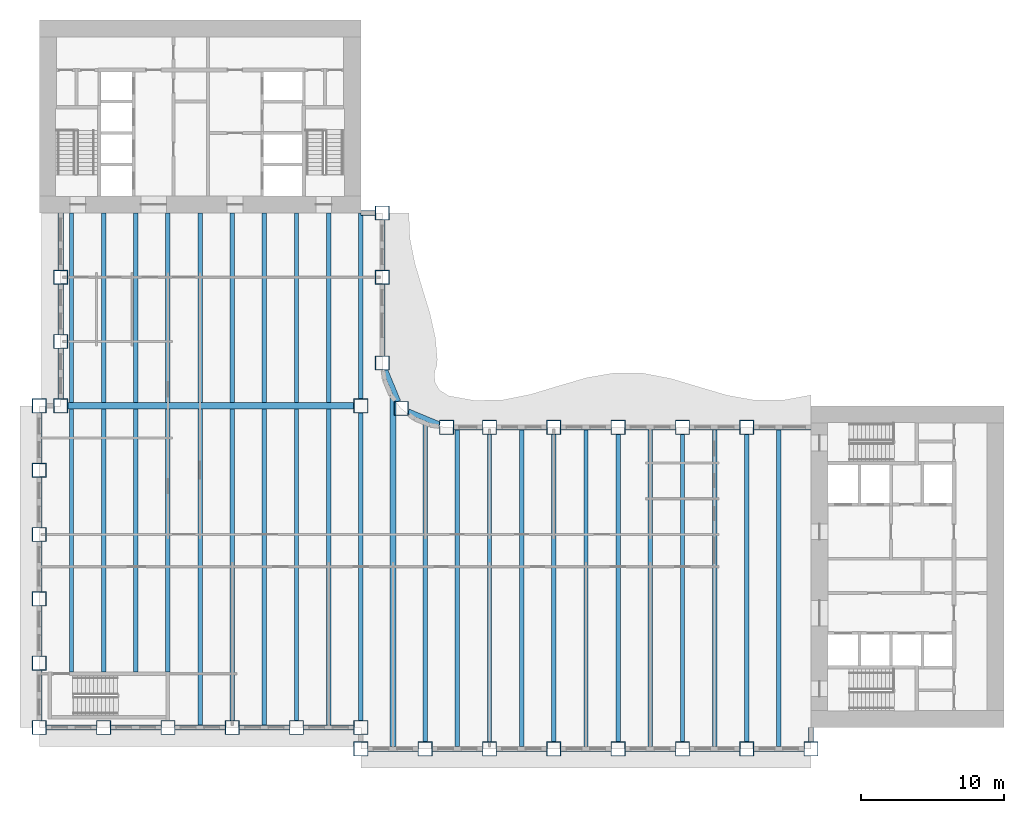
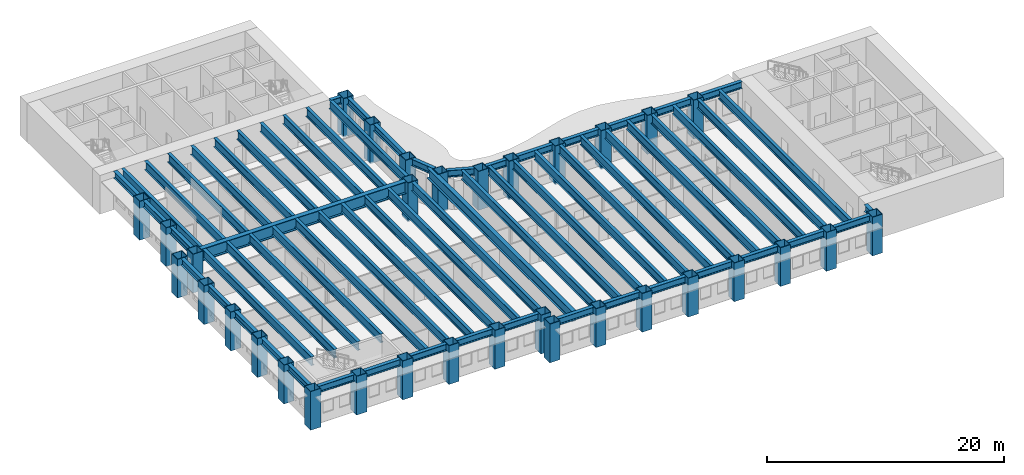
# One storey, part 1 of 16: 66 beams, 33 columns.
"""IFC4 building model written with IfcOpenShell, lengths in metres."""

from ifc_helpers import new_model, si_unit, direction, frame, origin, origin_2d, place, context, subcontext, project, spatial, hollow_rectangle, i_section, extrude, material, material_profile, profile_set, type_object, element, save


model = new_model("IFC4")

# Units and contexts
model_context = context("Model", 3, precision=1e-05, world=origin(), true_north=direction((0.0, 1.0)))
body_context = subcontext(model_context, "Body", "Model", "MODEL_VIEW")
ifc_project = project(units=[si_unit("LENGTHUNIT", "METRE"), si_unit("AREAUNIT", "SQUARE_METRE"), si_unit("VOLUMEUNIT", "CUBIC_METRE"), si_unit("PLANEANGLEUNIT", "RADIAN"), si_unit("MASSUNIT", "GRAM", prefix="KILO")], contexts=[model_context])

# Site, building, storey
site_placement = place(None, origin())
site = spatial("IfcSite", under=ifc_project, at=site_placement, CompositionType="ELEMENT")
building_placement = place(site_placement, origin())
building = spatial("IfcBuilding", under=site, at=building_placement, Name="Sennacour Bend Tower", CompositionType="ELEMENT")
storey_placement = place(building_placement, frame((0.0, 0.0, 123.0)))
storey = spatial("IfcBuildingStorey", under=building, at=storey_placement, Name="L28", CompositionType="ELEMENT", Elevation=123.0)

# Columns
ifc_material_1 = material(Name="Steel ASTM A572 Grade 50", Category="steel")
ifc_material_profile_1 = material_profile(ifc_material_1, hollow_rectangle(XDim=1.0, YDim=1.0, WallThickness=0.050048828125, at=origin_2d()), Name="Steel ASTM A572 Grade 50", Category="steel")
ifc_profile_set_1 = profile_set([ifc_material_profile_1], Name="Steel ASTM A572 Grade 50")
column_type = type_object("IfcColumnType", Name="Box column 1000", PredefinedType="COLUMN", material=ifc_profile_set_1)
for number, where, z_axis, x_axis, name in (
    (1, (0.0, 0.0, -0.14990234375), (0.0, 0.0, 1.0), (1.0, 0.0, 0.0), "Perimeter column C2 L28-001"),
    (2, (0.0, 4.5, -0.14990234375), (0.0, 0.0, 1.0), (1.0, 0.0, 0.0), "Perimeter column C2 L28-002"),
    (3, (0.0, 9.0, -0.14990234375), (0.0, 0.0, 1.0), (1.0, 0.0, 0.0), "Perimeter column C2 L28-003"),
    (4, (0.0, 13.5, -0.14990234375), (0.0, 0.0, 1.0), (1.0, 0.0, 0.0), "Perimeter column C2 L28-004"),
    (5, (0.0, 18.0, -0.14990234375), (0.0, 0.0, 1.0), (1.0, 0.0, 0.0), "Perimeter column C2 L28-005"),
    (6, (0.0, 22.5, -0.14990234375), (0.0, 0.0, 1.0), (1.0, 0.0, 0.0), "Perimeter column C2 L28-006"),
    (7, (1.5, 22.5, -0.14990234375), (0.0, 0.0, 1.0), (1.0, 0.0, 0.0), "Perimeter column C2 L28-007"),
    (8, (1.5, 27.0, -0.14990234375), (0.0, 0.0, 1.0), (1.0, 0.0, 0.0), "Perimeter column C2 L28-008"),
    (9, (1.5, 31.5, -0.14990234375), (0.0, 0.0, 1.0), (1.0, 0.0, 0.0), "Perimeter column C2 L28-009"),
    (10, (4.5, 0.0, -0.14990234375), (0.0, 0.0, 1.0), (1.0, 0.0, 0.0), "Perimeter column C2 L28-010"),
    (11, (9.0, 0.0, -0.14990234375), (0.0, 0.0, 1.0), (1.0, 0.0, 0.0), "Perimeter column C2 L28-011"),
    (12, (13.5, 0.0, -0.14990234375), (0.0, 0.0, 1.0), (1.0, 0.0, 0.0), "Perimeter column C2 L28-012"),
    (13, (18.0, 0.0, -0.14990234375), (0.0, 0.0, 1.0), (1.0, 0.0, 0.0), "Perimeter column C2 L28-013"),
    (14, (22.5, -1.5, -0.14990234375), (0.0, 0.0, 1.0), (1.0, 0.0, 0.0), "Perimeter column C2 L28-014"),
    (15, (22.5, 0.0, -0.14990234375), (0.0, 0.0, 1.0), (1.0, 0.0, 0.0), "Perimeter column C2 L28-015"),
    (16, (22.5, 22.5, -0.14990234375), (0.0, 0.0, 1.0), (1.0, 0.0, 0.0), "Knuckle column C2 L28-016"),
    (17, (24.0, 25.5, -0.14990234375), (0.0, 0.0, 1.0), (1.0, 0.0, 0.0), "Perimeter column C2 L28-017"),
    (18, (24.0, 31.5, -0.14990234375), (0.0, 0.0, 1.0), (1.0, 0.0, 0.0), "Perimeter column C2 L28-018"),
    (19, (24.0, 36.0, -0.14990234375), (0.0, 0.0, 1.0), (1.0, 0.0, 0.0), "Perimeter column C2 L28-019"),
    (20, (25.318115234375, 22.318115234375, -0.14990234375), (0.0, 0.0, 1.0), (1.0, 0.0, 0.0), "Perimeter column C2 L28-020"),
    (21, (27.0, -1.5, -0.14990234375), (0.0, 0.0, 1.0), (1.0, 0.0, 0.0), "Perimeter column C2 L28-021"),
    (22, (28.5, 21.0, -0.14990234375), (0.0, 0.0, 1.0), (1.0, 0.0, 0.0), "Perimeter column C2 L28-022"),
    (23, (31.5, -1.5, -0.14990234375), (0.0, 0.0, 1.0), (1.0, 0.0, 0.0), "Perimeter column C2 L28-023"),
    (24, (31.5, 21.0, -0.14990234375), (0.0, 0.0, 1.0), (1.0, 0.0, 0.0), "Perimeter column C2 L28-024"),
    (25, (36.0, -1.5, -0.14990234375), (0.0, 0.0, 1.0), (1.0, 0.0, 0.0), "Perimeter column C2 L28-025"),
    (26, (36.0, 21.0, -0.14990234375), (0.0, 0.0, 1.0), (1.0, 0.0, 0.0), "Perimeter column C2 L28-026"),
    (27, (40.5, -1.5, -0.14990234375), (0.0, 0.0, 1.0), (1.0, 0.0, 0.0), "Perimeter column C2 L28-027"),
    (28, (40.5, 21.0, -0.14990234375), (0.0, 0.0, 1.0), (1.0, 0.0, 0.0), "Perimeter column C2 L28-028"),
    (29, (45.0, -1.5, -0.14990234375), (0.0, 0.0, 1.0), (1.0, 0.0, 0.0), "Perimeter column C2 L28-029"),
    (30, (45.0, 21.0, -0.14990234375), (0.0, 0.0, 1.0), (1.0, 0.0, 0.0), "Perimeter column C2 L28-030"),
    (31, (49.5, -1.5, -0.14990234375), (0.0, 0.0, 1.0), (1.0, 0.0, 0.0), "Perimeter column C2 L28-031"),
    (32, (49.5, 21.0, -0.14990234375), (0.0, 0.0, 1.0), (1.0, 0.0, 0.0), "Perimeter column C2 L28-032"),
    (33, (54.0, -1.5, -0.14990234375), (0.0, 0.0, 1.0), (1.0, 0.0, 0.0), "Perimeter column C2 L28-033"),
):
    element("IfcColumn", number, at=place(storey_placement, frame(where, z_axis=z_axis, x_axis=x_axis)), inside=storey, type_object=column_type, Name=name, PredefinedType="COLUMN", context=body_context, shape_type="SweptSolid", body=[
        extrude(hollow_rectangle(XDim=1.0, YDim=1.0, WallThickness=0.050048828125, at=origin_2d()), origin(), (0.0, 0.0, 1.0), 4.0),
    ])

# Beams
ifc_material_2 = material(Name="Steel ASTM A992 Grade 50", Category="steel")
ifc_material_profile_2 = material_profile(ifc_material_2, i_section(OverallWidth=0.304931640625, OverallDepth=0.912109375, WebThickness=0.015869140625, FlangeThickness=0.02392578125, FilletRadius=0.01904296875, at=origin_2d()), Name="Steel ASTM A992 Grade 50", Category="steel")
ifc_profile_set_2 = profile_set([ifc_material_profile_2], Name="Steel ASTM A992 Grade 50")
beam_type_1 = type_object("IfcBeamType", Name="Floor beam W920X223", PredefinedType="BEAM", material=ifc_profile_set_2)
beam_1_placement = place(storey_placement, frame((2.25, 3.875, 3.39404296875), z_axis=(0.0, 1.0, 0.0), x_axis=(-1.0, 0.0, 0.0)))
element("IfcBeam", 34, at=beam_1_placement, inside=storey, type_object=beam_type_1, Name="Floor beam FBM1 L29-001", PredefinedType="BEAM", context=body_context, shape_type="SweptSolid", body=[
    extrude(i_section(OverallWidth=0.304931640625, OverallDepth=0.912109375, WebThickness=0.015869140625, FlangeThickness=0.02392578125, FilletRadius=0.01904296875, at=origin_2d()), origin(), (0.0, 0.0, 1.0), 18.39990234375),
])
beam_2_placement = place(storey_placement, frame((2.25, 22.72509765625, 3.39404296875), z_axis=(0.0, 1.0, 0.0), x_axis=(-1.0, 0.0, 0.0)))
element("IfcBeam", 35, at=beam_2_placement, inside=storey, type_object=beam_type_1, Name="Floor beam FBM1 L29-002", PredefinedType="BEAM", context=body_context, shape_type="SweptSolid", body=[
    extrude(i_section(OverallWidth=0.304931640625, OverallDepth=0.912109375, WebThickness=0.015869140625, FlangeThickness=0.02392578125, FilletRadius=0.01904296875, at=origin_2d()), origin(), (0.0, 0.0, 1.0), 13.27490234375),
])
beam_3_placement = place(storey_placement, frame((4.5, 3.875, 3.39404296875), z_axis=(0.0, 1.0, 0.0), x_axis=(-1.0, 0.0, 0.0)))
element("IfcBeam", 36, at=beam_3_placement, inside=storey, type_object=beam_type_1, Name="Floor beam FBM1 L29-003", PredefinedType="BEAM", context=body_context, shape_type="SweptSolid", body=[
    extrude(i_section(OverallWidth=0.304931640625, OverallDepth=0.912109375, WebThickness=0.015869140625, FlangeThickness=0.02392578125, FilletRadius=0.01904296875, at=origin_2d()), origin(), (0.0, 0.0, 1.0), 18.39990234375),
])
beam_4_placement = place(storey_placement, frame((4.5, 22.72509765625, 3.39404296875), z_axis=(0.0, 1.0, 0.0), x_axis=(-1.0, 0.0, 0.0)))
element("IfcBeam", 37, at=beam_4_placement, inside=storey, type_object=beam_type_1, Name="Floor beam FBM1 L29-004", PredefinedType="BEAM", context=body_context, shape_type="SweptSolid", body=[
    extrude(i_section(OverallWidth=0.304931640625, OverallDepth=0.912109375, WebThickness=0.015869140625, FlangeThickness=0.02392578125, FilletRadius=0.01904296875, at=origin_2d()), origin(), (0.0, 0.0, 1.0), 13.27490234375),
])
beam_5_placement = place(storey_placement, frame((6.75, 3.875, 3.39404296875), z_axis=(0.0, 1.0, 0.0), x_axis=(-1.0, 0.0, 0.0)))
element("IfcBeam", 38, at=beam_5_placement, inside=storey, type_object=beam_type_1, Name="Floor beam FBM1 L29-005", PredefinedType="BEAM", context=body_context, shape_type="SweptSolid", body=[
    extrude(i_section(OverallWidth=0.304931640625, OverallDepth=0.912109375, WebThickness=0.015869140625, FlangeThickness=0.02392578125, FilletRadius=0.01904296875, at=origin_2d()), origin(), (0.0, 0.0, 1.0), 18.39990234375),
])
beam_6_placement = place(storey_placement, frame((6.75, 22.72509765625, 3.39404296875), z_axis=(0.0, 1.0, 0.0), x_axis=(-1.0, 0.0, 0.0)))
element("IfcBeam", 39, at=beam_6_placement, inside=storey, type_object=beam_type_1, Name="Floor beam FBM1 L29-006", PredefinedType="BEAM", context=body_context, shape_type="SweptSolid", body=[
    extrude(i_section(OverallWidth=0.304931640625, OverallDepth=0.912109375, WebThickness=0.015869140625, FlangeThickness=0.02392578125, FilletRadius=0.01904296875, at=origin_2d()), origin(), (0.0, 0.0, 1.0), 13.27490234375),
])
beam_7_placement = place(storey_placement, frame((9.0, 3.875, 3.39404296875), z_axis=(0.0, 1.0, 0.0), x_axis=(-1.0, 0.0, 0.0)))
element("IfcBeam", 40, at=beam_7_placement, inside=storey, type_object=beam_type_1, Name="Floor beam FBM1 L29-007", PredefinedType="BEAM", context=body_context, shape_type="SweptSolid", body=[
    extrude(i_section(OverallWidth=0.304931640625, OverallDepth=0.912109375, WebThickness=0.015869140625, FlangeThickness=0.02392578125, FilletRadius=0.01904296875, at=origin_2d()), origin(), (0.0, 0.0, 1.0), 18.39990234375),
])
beam_8_placement = place(storey_placement, frame((9.0, 22.72509765625, 3.39404296875), z_axis=(0.0, 1.0, 0.0), x_axis=(-1.0, 0.0, 0.0)))
element("IfcBeam", 41, at=beam_8_placement, inside=storey, type_object=beam_type_1, Name="Floor beam FBM1 L29-008", PredefinedType="BEAM", context=body_context, shape_type="SweptSolid", body=[
    extrude(i_section(OverallWidth=0.304931640625, OverallDepth=0.912109375, WebThickness=0.015869140625, FlangeThickness=0.02392578125, FilletRadius=0.01904296875, at=origin_2d()), origin(), (0.0, 0.0, 1.0), 13.27490234375),
])
beam_9_placement = place(storey_placement, frame((11.25, 0.177978515625, 3.39404296875), z_axis=(0.0, 1.0, 0.0), x_axis=(-1.0, 0.0, 0.0)))
element("IfcBeam", 42, at=beam_9_placement, inside=storey, type_object=beam_type_1, Name="Floor beam FBM1 L29-009", PredefinedType="BEAM", context=body_context, shape_type="SweptSolid", body=[
    extrude(i_section(OverallWidth=0.304931640625, OverallDepth=0.912109375, WebThickness=0.015869140625, FlangeThickness=0.02392578125, FilletRadius=0.01904296875, at=origin_2d()), origin(), (0.0, 0.0, 1.0), 22.096923828125),
])
beam_10_placement = place(storey_placement, frame((11.25, 22.72509765625, 3.39404296875), z_axis=(0.0, 1.0, 0.0), x_axis=(-1.0, 0.0, 0.0)))
element("IfcBeam", 43, at=beam_10_placement, inside=storey, type_object=beam_type_1, Name="Floor beam FBM1 L29-010", PredefinedType="BEAM", context=body_context, shape_type="SweptSolid", body=[
    extrude(i_section(OverallWidth=0.304931640625, OverallDepth=0.912109375, WebThickness=0.015869140625, FlangeThickness=0.02392578125, FilletRadius=0.01904296875, at=origin_2d()), origin(), (0.0, 0.0, 1.0), 13.27490234375),
])
beam_11_placement = place(storey_placement, frame((13.5, 0.5, 3.39404296875), z_axis=(0.0, 1.0, 0.0), x_axis=(-1.0, 0.0, 0.0)))
element("IfcBeam", 44, at=beam_11_placement, inside=storey, type_object=beam_type_1, Name="Floor beam FBM1 L29-011", PredefinedType="BEAM", context=body_context, shape_type="SweptSolid", body=[
    extrude(i_section(OverallWidth=0.304931640625, OverallDepth=0.912109375, WebThickness=0.015869140625, FlangeThickness=0.02392578125, FilletRadius=0.01904296875, at=origin_2d()), origin(), (0.0, 0.0, 1.0), 21.77490234375),
])
beam_12_placement = place(storey_placement, frame((13.5, 22.72509765625, 3.39404296875), z_axis=(0.0, 1.0, 0.0), x_axis=(-1.0, 0.0, 0.0)))
element("IfcBeam", 45, at=beam_12_placement, inside=storey, type_object=beam_type_1, Name="Floor beam FBM1 L29-012", PredefinedType="BEAM", context=body_context, shape_type="SweptSolid", body=[
    extrude(i_section(OverallWidth=0.304931640625, OverallDepth=0.912109375, WebThickness=0.015869140625, FlangeThickness=0.02392578125, FilletRadius=0.01904296875, at=origin_2d()), origin(), (0.0, 0.0, 1.0), 13.27490234375),
])
beam_13_placement = place(storey_placement, frame((15.75, 0.177978515625, 3.39404296875), z_axis=(0.0, 1.0, 0.0), x_axis=(-1.0, 0.0, 0.0)))
element("IfcBeam", 46, at=beam_13_placement, inside=storey, type_object=beam_type_1, Name="Floor beam FBM1 L29-013", PredefinedType="BEAM", context=body_context, shape_type="SweptSolid", body=[
    extrude(i_section(OverallWidth=0.304931640625, OverallDepth=0.912109375, WebThickness=0.015869140625, FlangeThickness=0.02392578125, FilletRadius=0.01904296875, at=origin_2d()), origin(), (0.0, 0.0, 1.0), 22.096923828125),
])
beam_14_placement = place(storey_placement, frame((15.75, 22.72509765625, 3.39404296875), z_axis=(0.0, 1.0, 0.0), x_axis=(-1.0, 0.0, 0.0)))
element("IfcBeam", 47, at=beam_14_placement, inside=storey, type_object=beam_type_1, Name="Floor beam FBM1 L29-014", PredefinedType="BEAM", context=body_context, shape_type="SweptSolid", body=[
    extrude(i_section(OverallWidth=0.304931640625, OverallDepth=0.912109375, WebThickness=0.015869140625, FlangeThickness=0.02392578125, FilletRadius=0.01904296875, at=origin_2d()), origin(), (0.0, 0.0, 1.0), 13.27490234375),
])
beam_15_placement = place(storey_placement, frame((18.0, 0.5, 3.39404296875), z_axis=(0.0, 1.0, 0.0), x_axis=(-1.0, 0.0, 0.0)))
element("IfcBeam", 48, at=beam_15_placement, inside=storey, type_object=beam_type_1, Name="Floor beam FBM1 L29-015", PredefinedType="BEAM", context=body_context, shape_type="SweptSolid", body=[
    extrude(i_section(OverallWidth=0.304931640625, OverallDepth=0.912109375, WebThickness=0.015869140625, FlangeThickness=0.02392578125, FilletRadius=0.01904296875, at=origin_2d()), origin(), (0.0, 0.0, 1.0), 21.77490234375),
])
beam_16_placement = place(storey_placement, frame((18.0, 22.72509765625, 3.39404296875), z_axis=(0.0, 1.0, 0.0), x_axis=(-1.0, 0.0, 0.0)))
element("IfcBeam", 49, at=beam_16_placement, inside=storey, type_object=beam_type_1, Name="Floor beam FBM1 L29-016", PredefinedType="BEAM", context=body_context, shape_type="SweptSolid", body=[
    extrude(i_section(OverallWidth=0.304931640625, OverallDepth=0.912109375, WebThickness=0.015869140625, FlangeThickness=0.02392578125, FilletRadius=0.01904296875, at=origin_2d()), origin(), (0.0, 0.0, 1.0), 13.27490234375),
])
beam_17_placement = place(storey_placement, frame((20.25, 0.177978515625, 3.39404296875), z_axis=(0.0, 1.0, 0.0), x_axis=(-1.0, 0.0, 0.0)))
element("IfcBeam", 50, at=beam_17_placement, inside=storey, type_object=beam_type_1, Name="Floor beam FBM1 L29-017", PredefinedType="BEAM", context=body_context, shape_type="SweptSolid", body=[
    extrude(i_section(OverallWidth=0.304931640625, OverallDepth=0.912109375, WebThickness=0.015869140625, FlangeThickness=0.02392578125, FilletRadius=0.01904296875, at=origin_2d()), origin(), (0.0, 0.0, 1.0), 22.096923828125),
])
beam_18_placement = place(storey_placement, frame((20.25, 22.72509765625, 3.39404296875), z_axis=(0.0, 1.0, 0.0), x_axis=(-1.0, 0.0, 0.0)))
element("IfcBeam", 51, at=beam_18_placement, inside=storey, type_object=beam_type_1, Name="Floor beam FBM1 L29-018", PredefinedType="BEAM", context=body_context, shape_type="SweptSolid", body=[
    extrude(i_section(OverallWidth=0.304931640625, OverallDepth=0.912109375, WebThickness=0.015869140625, FlangeThickness=0.02392578125, FilletRadius=0.01904296875, at=origin_2d()), origin(), (0.0, 0.0, 1.0), 13.27490234375),
])
beam_19_placement = place(storey_placement, frame((22.5, 0.5, 3.39404296875), z_axis=(0.0, 1.0, 0.0), x_axis=(-1.0, 0.0, 0.0)))
element("IfcBeam", 52, at=beam_19_placement, inside=storey, type_object=beam_type_1, Name="Floor beam FBM1 L29-019", PredefinedType="BEAM", context=body_context, shape_type="SweptSolid", body=[
    extrude(i_section(OverallWidth=0.304931640625, OverallDepth=0.912109375, WebThickness=0.015869140625, FlangeThickness=0.02392578125, FilletRadius=0.01904296875, at=origin_2d()), origin(), (0.0, 0.0, 1.0), 21.5),
])
beam_20_placement = place(storey_placement, frame((22.5, 23.0, 3.39404296875), z_axis=(0.0, 1.0, 0.0), x_axis=(-1.0, 0.0, 0.0)))
element("IfcBeam", 53, at=beam_20_placement, inside=storey, type_object=beam_type_1, Name="Floor beam FBM1 L29-020", PredefinedType="BEAM", context=body_context, shape_type="SweptSolid", body=[
    extrude(i_section(OverallWidth=0.304931640625, OverallDepth=0.912109375, WebThickness=0.015869140625, FlangeThickness=0.02392578125, FilletRadius=0.01904296875, at=origin_2d()), origin(), (0.0, 0.0, 1.0), 13.0),
])
beam_21_placement = place(storey_placement, frame((27.0, -1.0, 3.39404296875), z_axis=(0.0, 1.0, 0.0), x_axis=(-1.0, 0.0, 0.0)))
element("IfcBeam", 54, at=beam_21_placement, inside=storey, type_object=beam_type_1, Name="Floor beam FBM1 L29-022", PredefinedType="BEAM", context=body_context, shape_type="SweptSolid", body=[
    extrude(i_section(OverallWidth=0.304931640625, OverallDepth=0.912109375, WebThickness=0.015869140625, FlangeThickness=0.02392578125, FilletRadius=0.01904296875, at=origin_2d()), origin(), (0.0, 0.0, 1.0), 22.4287109375),
])
beam_22_placement = place(storey_placement, frame((29.25, -1.322021484375, 3.39404296875), z_axis=(0.0, 1.0, 0.0), x_axis=(-1.0, 0.0, 0.0)))
element("IfcBeam", 55, at=beam_22_placement, inside=storey, type_object=beam_type_1, Name="Floor beam FBM1 L29-023", PredefinedType="BEAM", context=body_context, shape_type="SweptSolid", body=[
    extrude(i_section(OverallWidth=0.304931640625, OverallDepth=0.912109375, WebThickness=0.015869140625, FlangeThickness=0.02392578125, FilletRadius=0.01904296875, at=origin_2d()), origin(), (0.0, 0.0, 1.0), 22.14404296875),
])
beam_23_placement = place(storey_placement, frame((31.5, -1.0, 3.39404296875), z_axis=(0.0, 1.0, 0.0), x_axis=(-1.0, 0.0, 0.0)))
element("IfcBeam", 56, at=beam_23_placement, inside=storey, type_object=beam_type_1, Name="Floor beam FBM1 L29-024", PredefinedType="BEAM", context=body_context, shape_type="SweptSolid", body=[
    extrude(i_section(OverallWidth=0.304931640625, OverallDepth=0.912109375, WebThickness=0.015869140625, FlangeThickness=0.02392578125, FilletRadius=0.01904296875, at=origin_2d()), origin(), (0.0, 0.0, 1.0), 21.5),
])
beam_24_placement = place(storey_placement, frame((33.75, -1.322021484375, 3.39404296875), z_axis=(0.0, 1.0, 0.0), x_axis=(-1.0, 0.0, 0.0)))
element("IfcBeam", 57, at=beam_24_placement, inside=storey, type_object=beam_type_1, Name="Floor beam FBM1 L29-025", PredefinedType="BEAM", context=body_context, shape_type="SweptSolid", body=[
    extrude(i_section(OverallWidth=0.304931640625, OverallDepth=0.912109375, WebThickness=0.015869140625, FlangeThickness=0.02392578125, FilletRadius=0.01904296875, at=origin_2d()), origin(), (0.0, 0.0, 1.0), 22.14404296875),
])
beam_25_placement = place(storey_placement, frame((36.0, -1.0, 3.39404296875), z_axis=(0.0, 1.0, 0.0), x_axis=(-1.0, 0.0, 0.0)))
element("IfcBeam", 58, at=beam_25_placement, inside=storey, type_object=beam_type_1, Name="Floor beam FBM1 L29-026", PredefinedType="BEAM", context=body_context, shape_type="SweptSolid", body=[
    extrude(i_section(OverallWidth=0.304931640625, OverallDepth=0.912109375, WebThickness=0.015869140625, FlangeThickness=0.02392578125, FilletRadius=0.01904296875, at=origin_2d()), origin(), (0.0, 0.0, 1.0), 21.5),
])
beam_26_placement = place(storey_placement, frame((38.25, -1.322021484375, 3.39404296875), z_axis=(0.0, 1.0, 0.0), x_axis=(-1.0, 0.0, 0.0)))
element("IfcBeam", 59, at=beam_26_placement, inside=storey, type_object=beam_type_1, Name="Floor beam FBM1 L29-027", PredefinedType="BEAM", context=body_context, shape_type="SweptSolid", body=[
    extrude(i_section(OverallWidth=0.304931640625, OverallDepth=0.912109375, WebThickness=0.015869140625, FlangeThickness=0.02392578125, FilletRadius=0.01904296875, at=origin_2d()), origin(), (0.0, 0.0, 1.0), 22.14404296875),
])
beam_27_placement = place(storey_placement, frame((40.5, -1.0, 3.39404296875), z_axis=(0.0, 1.0, 0.0), x_axis=(-1.0, 0.0, 0.0)))
element("IfcBeam", 60, at=beam_27_placement, inside=storey, type_object=beam_type_1, Name="Floor beam FBM1 L29-028", PredefinedType="BEAM", context=body_context, shape_type="SweptSolid", body=[
    extrude(i_section(OverallWidth=0.304931640625, OverallDepth=0.912109375, WebThickness=0.015869140625, FlangeThickness=0.02392578125, FilletRadius=0.01904296875, at=origin_2d()), origin(), (0.0, 0.0, 1.0), 21.5),
])
beam_28_placement = place(storey_placement, frame((42.75, -1.322021484375, 3.39404296875), z_axis=(0.0, 1.0, 0.0), x_axis=(-1.0, 0.0, 0.0)))
element("IfcBeam", 61, at=beam_28_placement, inside=storey, type_object=beam_type_1, Name="Floor beam FBM1 L29-029", PredefinedType="BEAM", context=body_context, shape_type="SweptSolid", body=[
    extrude(i_section(OverallWidth=0.304931640625, OverallDepth=0.912109375, WebThickness=0.015869140625, FlangeThickness=0.02392578125, FilletRadius=0.01904296875, at=origin_2d()), origin(), (0.0, 0.0, 1.0), 22.14404296875),
])
beam_29_placement = place(storey_placement, frame((45.0, -1.0, 3.39404296875), z_axis=(0.0, 1.0, 0.0), x_axis=(-1.0, 0.0, 0.0)))
element("IfcBeam", 62, at=beam_29_placement, inside=storey, type_object=beam_type_1, Name="Floor beam FBM1 L29-030", PredefinedType="BEAM", context=body_context, shape_type="SweptSolid", body=[
    extrude(i_section(OverallWidth=0.304931640625, OverallDepth=0.912109375, WebThickness=0.015869140625, FlangeThickness=0.02392578125, FilletRadius=0.01904296875, at=origin_2d()), origin(), (0.0, 0.0, 1.0), 21.5),
])
beam_30_placement = place(storey_placement, frame((47.25, -1.322021484375, 3.39404296875), z_axis=(0.0, 1.0, 0.0), x_axis=(-1.0, 0.0, 0.0)))
element("IfcBeam", 63, at=beam_30_placement, inside=storey, type_object=beam_type_1, Name="Floor beam FBM1 L29-031", PredefinedType="BEAM", context=body_context, shape_type="SweptSolid", body=[
    extrude(i_section(OverallWidth=0.304931640625, OverallDepth=0.912109375, WebThickness=0.015869140625, FlangeThickness=0.02392578125, FilletRadius=0.01904296875, at=origin_2d()), origin(), (0.0, 0.0, 1.0), 22.14404296875),
])
beam_31_placement = place(storey_placement, frame((49.5, -1.0, 3.39404296875), z_axis=(0.0, 1.0, 0.0), x_axis=(-1.0, 0.0, 0.0)))
element("IfcBeam", 64, at=beam_31_placement, inside=storey, type_object=beam_type_1, Name="Floor beam FBM1 L29-032", PredefinedType="BEAM", context=body_context, shape_type="SweptSolid", body=[
    extrude(i_section(OverallWidth=0.304931640625, OverallDepth=0.912109375, WebThickness=0.015869140625, FlangeThickness=0.02392578125, FilletRadius=0.01904296875, at=origin_2d()), origin(), (0.0, 0.0, 1.0), 21.5),
])
beam_32_placement = place(storey_placement, frame((51.75, -1.322021484375, 3.39404296875), z_axis=(0.0, 1.0, 0.0), x_axis=(-1.0, 0.0, 0.0)))
element("IfcBeam", 65, at=beam_32_placement, inside=storey, type_object=beam_type_1, Name="Floor beam FBM1 L29-033", PredefinedType="BEAM", context=body_context, shape_type="SweptSolid", body=[
    extrude(i_section(OverallWidth=0.304931640625, OverallDepth=0.912109375, WebThickness=0.015869140625, FlangeThickness=0.02392578125, FilletRadius=0.01904296875, at=origin_2d()), origin(), (0.0, 0.0, 1.0), 22.14404296875),
])
ifc_material_profile_3 = material_profile(ifc_material_1, i_section(OverallWidth=0.449951171875, OverallDepth=1.25, WebThickness=0.028076171875, FlangeThickness=0.050048828125, at=origin_2d()), Name="Steel ASTM A572 Grade 50", Category="steel")
ifc_profile_set_3 = profile_set([ifc_material_profile_3], Name="Steel ASTM A572 Grade 50")
beam_type_2 = type_object("IfcBeamType", Name="Knuckle girder 1250", PredefinedType="USERDEFINED", material=ifc_profile_set_3)
beam_33_placement = place(storey_placement, frame((2.0, 22.5, 3.22509765625), z_axis=(1.0, 0.0, 0.0), x_axis=(0.0, 1.0, 0.0)))
element("IfcBeam", 66, at=beam_33_placement, inside=storey, type_object=beam_type_2, Name="Knuckle girder GK L29-001", ObjectType="KNUCKLE GIRDER", PredefinedType="USERDEFINED", context=body_context, shape_type="SweptSolid", body=[
    extrude(i_section(OverallWidth=0.449951171875, OverallDepth=1.25, WebThickness=0.028076171875, FlangeThickness=0.050048828125, at=origin_2d()), origin(), (0.0, 0.0, 1.0), 20.0),
])
ifc_material_profile_4 = material_profile(ifc_material_2, i_section(OverallWidth=0.40087890625, OverallDepth=1.090087890625, WebThickness=0.01806640625, FlangeThickness=0.031005859375, FilletRadius=0.02001953125, at=origin_2d()), Name="Steel ASTM A992 Grade 50", Category="steel")
ifc_profile_set_4 = profile_set([ifc_material_profile_4], Name="Steel ASTM A992 Grade 50")
beam_type_3 = type_object("IfcBeamType", Name="Notch floor beam W1100X343", PredefinedType="BEAM", material=ifc_profile_set_4)
beam_34_placement = place(storey_placement, frame((24.75, -1.322021484375, 3.304931640625), z_axis=(0.0, 1.0, 0.0), x_axis=(-1.0, 0.0, 0.0)))
element("IfcBeam", 67, at=beam_34_placement, inside=storey, type_object=beam_type_3, Name="Floor beam FBM4 L29-021", PredefinedType="BEAM", context=body_context, shape_type="SweptSolid", body=[
    extrude(i_section(OverallWidth=0.40087890625, OverallDepth=1.090087890625, WebThickness=0.01806640625, FlangeThickness=0.031005859375, FilletRadius=0.02001953125, at=origin_2d()), origin(), (0.0, 0.0, 1.0), 24.546142578125),
])
ifc_material_profile_5 = material_profile(ifc_material_2, i_section(OverallWidth=0.35595703125, OverallDepth=0.696044921875, WebThickness=0.015380859375, FlangeThickness=0.02490234375, FilletRadius=0.02001953125, at=origin_2d()), Name="Steel ASTM A992 Grade 50", Category="steel")
ifc_profile_set_5 = profile_set([ifc_material_profile_5], Name="Steel ASTM A992 Grade 50")
beam_type_4 = type_object("IfcBeamType", Name="Spandrel beam W690X217", PredefinedType="SPANDREL", material=ifc_profile_set_5)
for number, where, z_axis, x_axis, name in (
    (68, (22.0, 0.0, 3.501953125), (-1.0, 0.0, 0.0), (0.0, -1.0, 0.0), "Spandrel beam SP3 L29-001"),
    (69, (17.5, 0.0, 3.501953125), (-1.0, 0.0, 0.0), (0.0, -1.0, 0.0), "Spandrel beam SP3 L29-002"),
    (70, (13.0, 0.0, 3.501953125), (-1.0, 0.0, 0.0), (0.0, -1.0, 0.0), "Spandrel beam SP3 L29-003"),
    (71, (8.5, 0.0, 3.501953125), (-1.0, 0.0, 0.0), (0.0, -1.0, 0.0), "Spandrel beam SP3 L29-004"),
    (72, (4.0, 0.0, 3.501953125), (-1.0, 0.0, 0.0), (0.0, -1.0, 0.0), "Spandrel beam SP3 L29-005"),
    (73, (0.0, 0.5, 3.501953125), (0.0, 1.0, 0.0), (-1.0, 0.0, 0.0), "Spandrel beam SP3 L29-006"),
    (74, (0.0, 5.0, 3.501953125), (0.0, 1.0, 0.0), (-1.0, 0.0, 0.0), "Spandrel beam SP3 L29-007"),
    (75, (0.0, 9.5, 3.501953125), (0.0, 1.0, 0.0), (-1.0, 0.0, 0.0), "Spandrel beam SP3 L29-008"),
    (76, (0.0, 14.0, 3.501953125), (0.0, 1.0, 0.0), (-1.0, 0.0, 0.0), "Spandrel beam SP3 L29-009"),
    (77, (0.0, 18.5, 3.501953125), (0.0, 1.0, 0.0), (-1.0, 0.0, 0.0), "Spandrel beam SP3 L29-010"),
    (78, (1.5, 23.0, 3.501953125), (0.0, 1.0, 0.0), (-1.0, 0.0, 0.0), "Spandrel beam SP3 L29-011"),
    (79, (1.5, 27.5, 3.501953125), (0.0, 1.0, 0.0), (-1.0, 0.0, 0.0), "Spandrel beam SP3 L29-012"),
):
    element("IfcBeam", number, at=place(storey_placement, frame(where, z_axis=z_axis, x_axis=x_axis)), inside=storey, type_object=beam_type_4, Name=name, PredefinedType="SPANDREL", context=body_context, shape_type="SweptSolid", body=[
        extrude(i_section(OverallWidth=0.35595703125, OverallDepth=0.696044921875, WebThickness=0.015380859375, FlangeThickness=0.02490234375, FilletRadius=0.02001953125, at=origin_2d()), origin(), (0.0, 0.0, 1.0), 3.5),
    ])
beam_35_placement = place(storey_placement, frame((1.5, 32.0, 3.501953125), z_axis=(0.0, 1.0, 0.0), x_axis=(-1.0, 0.0, 0.0)))
element("IfcBeam", 80, at=beam_35_placement, inside=storey, type_object=beam_type_4, Name="Spandrel beam SP3 L29-013", PredefinedType="SPANDREL", context=body_context, shape_type="SweptSolid", body=[
    extrude(i_section(OverallWidth=0.35595703125, OverallDepth=0.696044921875, WebThickness=0.015380859375, FlangeThickness=0.02490234375, FilletRadius=0.02001953125, at=origin_2d()), origin(), (0.0, 0.0, 1.0), 4.0),
])
beam_36_placement = place(storey_placement, frame((22.5, 36.0, 3.501953125), z_axis=(1.0, 0.0, 0.0), x_axis=(0.0, 1.0, 0.0)))
element("IfcBeam", 81, at=beam_36_placement, inside=storey, type_object=beam_type_4, Name="Spandrel beam SP3 L29-014", PredefinedType="SPANDREL", context=body_context, shape_type="SweptSolid", body=[
    extrude(i_section(OverallWidth=0.35595703125, OverallDepth=0.696044921875, WebThickness=0.015380859375, FlangeThickness=0.02490234375, FilletRadius=0.02001953125, at=origin_2d()), origin(), (0.0, 0.0, 1.0), 1.0),
])
beam_37_placement = place(storey_placement, frame((24.0, 35.5, 3.501953125), z_axis=(0.0, -1.0, 0.0), x_axis=(1.0, 0.0, 0.0)))
element("IfcBeam", 82, at=beam_37_placement, inside=storey, type_object=beam_type_4, Name="Spandrel beam SP3 L29-015", PredefinedType="SPANDREL", context=body_context, shape_type="SweptSolid", body=[
    extrude(i_section(OverallWidth=0.35595703125, OverallDepth=0.696044921875, WebThickness=0.015380859375, FlangeThickness=0.02490234375, FilletRadius=0.02001953125, at=origin_2d()), origin(), (0.0, 0.0, 1.0), 3.5),
])
beam_38_placement = place(storey_placement, frame((24.0, 31.0, 3.501953125), z_axis=(0.0, -1.0, 0.0), x_axis=(1.0, 0.0, 0.0)))
element("IfcBeam", 83, at=beam_38_placement, inside=storey, type_object=beam_type_4, Name="Spandrel beam SP3 L29-016", PredefinedType="SPANDREL", context=body_context, shape_type="SweptSolid", body=[
    extrude(i_section(OverallWidth=0.35595703125, OverallDepth=0.696044921875, WebThickness=0.015380859375, FlangeThickness=0.02490234375, FilletRadius=0.02001953125, at=origin_2d()), origin(), (0.0, 0.0, 1.0), 5.0),
])
for number, where, z_axis, x_axis, name in (
    (84, (24.20703125, 25.0, 3.501953125), (0.382698732017, -0.92387319504, 0.0), (0.92387319504, 0.382698732017, 0.0), "Spandrel beam SP3 L29-017"),
    (85, (25.818115234375, 22.11083984375, 3.501953125), (0.92387319504, -0.382698732017, 0.0), (0.382698732017, 0.92387319504, 0.0), "Spandrel beam SP3 L29-018"),
):
    element("IfcBeam", number, at=place(storey_placement, frame(where, z_axis=z_axis, x_axis=x_axis)), inside=storey, type_object=beam_type_4, Name=name, PredefinedType="SPANDREL", context=body_context, shape_type="SweptSolid", body=[
        extrude(i_section(OverallWidth=0.35595703125, OverallDepth=0.696044921875, WebThickness=0.015380859375, FlangeThickness=0.02490234375, FilletRadius=0.02001953125, at=origin_2d()), origin(), (0.0, 0.0, 1.0), 2.361572265625),
    ])
beam_39_placement = place(storey_placement, frame((29.0, 21.0, 3.501953125), z_axis=(1.0, 0.0, 0.0), x_axis=(0.0, 1.0, 0.0)))
element("IfcBeam", 86, at=beam_39_placement, inside=storey, type_object=beam_type_4, Name="Spandrel beam SP3 L29-019", PredefinedType="SPANDREL", context=body_context, shape_type="SweptSolid", body=[
    extrude(i_section(OverallWidth=0.35595703125, OverallDepth=0.696044921875, WebThickness=0.015380859375, FlangeThickness=0.02490234375, FilletRadius=0.02001953125, at=origin_2d()), origin(), (0.0, 0.0, 1.0), 2.0),
])
for number, where, z_axis, x_axis, name in (
    (87, (32.0, 21.0, 3.501953125), (1.0, 0.0, 0.0), (0.0, 1.0, 0.0), "Spandrel beam SP3 L29-020"),
    (88, (36.5, 21.0, 3.501953125), (1.0, 0.0, 0.0), (0.0, 1.0, 0.0), "Spandrel beam SP3 L29-021"),
    (89, (41.0, 21.0, 3.501953125), (1.0, 0.0, 0.0), (0.0, 1.0, 0.0), "Spandrel beam SP3 L29-022"),
    (90, (45.5, 21.0, 3.501953125), (1.0, 0.0, 0.0), (0.0, 1.0, 0.0), "Spandrel beam SP3 L29-023"),
):
    element("IfcBeam", number, at=place(storey_placement, frame(where, z_axis=z_axis, x_axis=x_axis)), inside=storey, type_object=beam_type_4, Name=name, PredefinedType="SPANDREL", context=body_context, shape_type="SweptSolid", body=[
        extrude(i_section(OverallWidth=0.35595703125, OverallDepth=0.696044921875, WebThickness=0.015380859375, FlangeThickness=0.02490234375, FilletRadius=0.02001953125, at=origin_2d()), origin(), (0.0, 0.0, 1.0), 3.5),
    ])
beam_40_placement = place(storey_placement, frame((50.0, 21.0, 3.501953125), z_axis=(1.0, 0.0, 0.0), x_axis=(0.0, 1.0, 0.0)))
element("IfcBeam", 91, at=beam_40_placement, inside=storey, type_object=beam_type_4, Name="Spandrel beam SP3 L29-024", PredefinedType="SPANDREL", context=body_context, shape_type="SweptSolid", body=[
    extrude(i_section(OverallWidth=0.35595703125, OverallDepth=0.696044921875, WebThickness=0.015380859375, FlangeThickness=0.02490234375, FilletRadius=0.02001953125, at=origin_2d()), origin(), (0.0, 0.0, 1.0), 4.0),
])
beam_41_placement = place(storey_placement, frame((54.0, 0.0, 3.501953125), z_axis=(0.0, -1.0, 0.0), x_axis=(1.0, 0.0, 0.0)))
element("IfcBeam", 92, at=beam_41_placement, inside=storey, type_object=beam_type_4, Name="Spandrel beam SP3 L29-025", PredefinedType="SPANDREL", context=body_context, shape_type="SweptSolid", body=[
    extrude(i_section(OverallWidth=0.35595703125, OverallDepth=0.696044921875, WebThickness=0.015380859375, FlangeThickness=0.02490234375, FilletRadius=0.02001953125, at=origin_2d()), origin(), (0.0, 0.0, 1.0), 1.0),
])
for number, where, z_axis, x_axis, name in (
    (93, (53.5, -1.5, 3.501953125), (-1.0, 0.0, 0.0), (0.0, -1.0, 0.0), "Spandrel beam SP3 L29-026"),
    (94, (49.0, -1.5, 3.501953125), (-1.0, 0.0, 0.0), (0.0, -1.0, 0.0), "Spandrel beam SP3 L29-027"),
    (95, (44.5, -1.5, 3.501953125), (-1.0, 0.0, 0.0), (0.0, -1.0, 0.0), "Spandrel beam SP3 L29-028"),
    (96, (40.0, -1.5, 3.501953125), (-1.0, 0.0, 0.0), (0.0, -1.0, 0.0), "Spandrel beam SP3 L29-029"),
    (97, (35.5, -1.5, 3.501953125), (-1.0, 0.0, 0.0), (0.0, -1.0, 0.0), "Spandrel beam SP3 L29-030"),
    (98, (31.0, -1.5, 3.501953125), (-1.0, 0.0, 0.0), (0.0, -1.0, 0.0), "Spandrel beam SP3 L29-031"),
    (99, (26.5, -1.5, 3.501953125), (-1.0, 0.0, 0.0), (0.0, -1.0, 0.0), "Spandrel beam SP3 L29-032"),
):
    element("IfcBeam", number, at=place(storey_placement, frame(where, z_axis=z_axis, x_axis=x_axis)), inside=storey, type_object=beam_type_4, Name=name, PredefinedType="SPANDREL", context=body_context, shape_type="SweptSolid", body=[
        extrude(i_section(OverallWidth=0.35595703125, OverallDepth=0.696044921875, WebThickness=0.015380859375, FlangeThickness=0.02490234375, FilletRadius=0.02001953125, at=origin_2d()), origin(), (0.0, 0.0, 1.0), 3.5),
    ])

save(model, "model.ifc")
